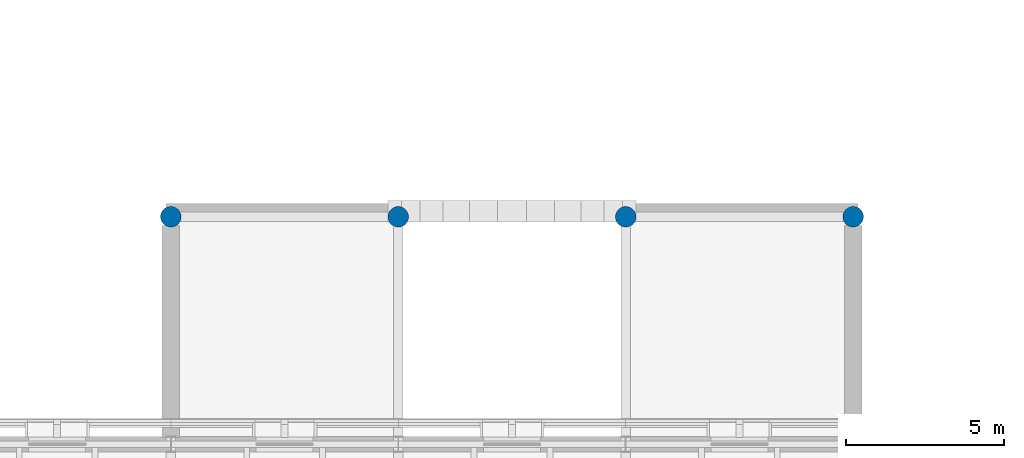
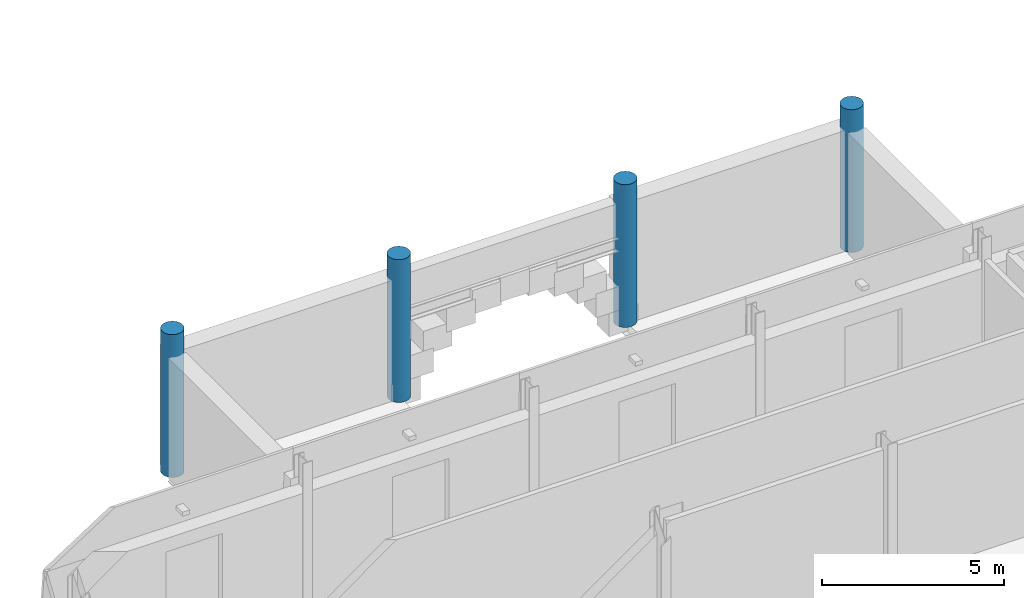
# One storey, part 14 of 121: 4 columns.
"""IFC4 building model written with IfcOpenShell, lengths in metres."""

from ifc_helpers import new_model, si_unit, direction, frame, origin, origin_2d, place, context, subcontext, project, spatial, circle, extrude, material, material_profile, profile_set, type_object, element, save


model = new_model("IFC4")

# Units and contexts
model_context = context("Model", 3, precision=1e-05, world=origin(), true_north=direction((0.0, 1.0)))
body_context = subcontext(model_context, "Body", "Model", "MODEL_VIEW")
ifc_project = project(units=[si_unit("LENGTHUNIT", "METRE"), si_unit("AREAUNIT", "SQUARE_METRE"), si_unit("VOLUMEUNIT", "CUBIC_METRE"), si_unit("PLANEANGLEUNIT", "RADIAN"), si_unit("MASSUNIT", "GRAM", prefix="KILO")], contexts=[model_context])

# Site, building, storey
site_placement = place(None, origin())
site = spatial("IfcSite", under=ifc_project, at=site_placement, CompositionType="ELEMENT")
building_placement = place(site_placement, origin())
building = spatial("IfcBuilding", under=site, at=building_placement, Name="Narikvali Park Central Library", CompositionType="ELEMENT")
storey_placement = place(building_placement, frame((0.0, 0.0, 5.39990234375)))
storey = spatial("IfcBuildingStorey", under=building, at=storey_placement, Name="L01", CompositionType="ELEMENT", Elevation=5.39990234375)

# Columns
ifc_material = material(Name="Precast concrete C40/50", Category="concrete")
ifc_material_profile = material_profile(ifc_material, circle(Radius=0.324951171875, at=origin_2d()), Name="COL D650")
ifc_profile_set = profile_set([ifc_material_profile], Name="Precast concrete C40/50")
column_type = type_object("IfcColumnType", Name="Concrete Colonnade Column D650", PredefinedType="COLUMN", material=ifc_profile_set)
for number, where, z_axis, x_axis, name in (
    (1, (72.0, 100.800048828125, 0.0), (0.0, 0.0, 1.0), (1.0, 0.0, 0.0), "Entrance Arch Column L01 (72.0)"),
    (2, (79.199951171875, 100.800048828125, 0.0), (0.0, 0.0, 1.0), (1.0, 0.0, 0.0), "Entrance Arch Column L01 (79.2)"),
    (3, (86.39990234375, 100.800048828125, 0.0), (0.0, 0.0, 1.0), (1.0, 0.0, 0.0), "Entrance Arch Column L01 (86.4)"),
    (4, (93.60009765625, 100.800048828125, 0.0), (0.0, 0.0, 1.0), (1.0, 0.0, 0.0), "Entrance Arch Column L01 (93.6)"),
):
    element("IfcColumn", number, at=place(storey_placement, frame(where, z_axis=z_axis, x_axis=x_axis)), inside=storey, type_object=column_type, Name=name, PredefinedType="COLUMN", context=body_context, shape_type="SweptSolid", body=[
        extrude(circle(Radius=0.324951171875, at=origin_2d()), origin(), (0.0, 0.0, 1.0), 4.800048828125),
    ])

save(model, "model.ifc")
